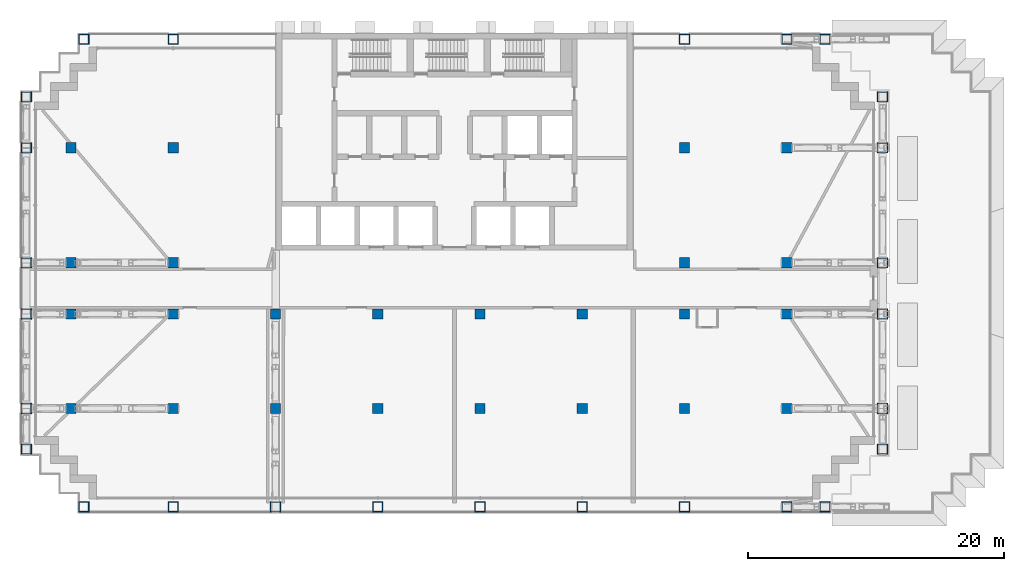
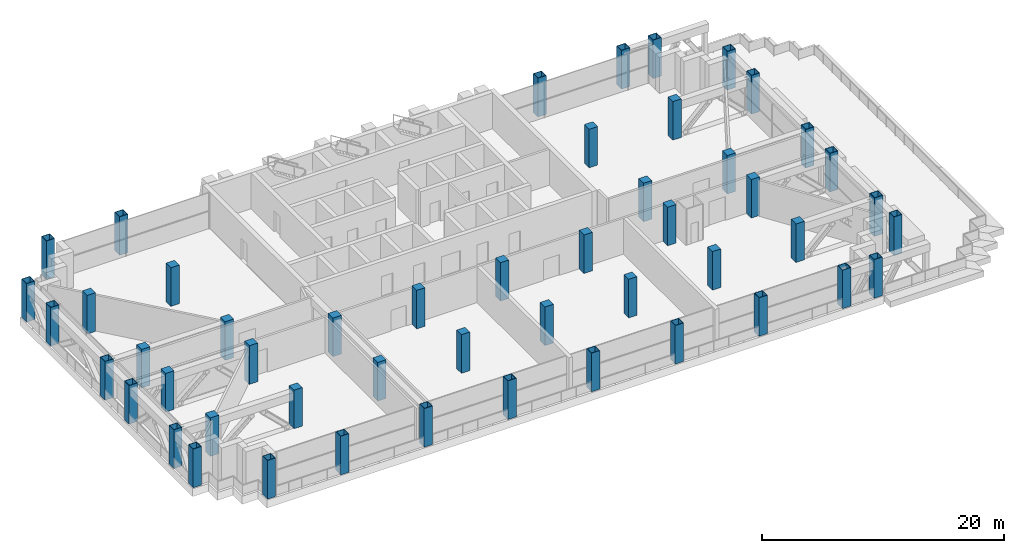
# One storey, part 1 of 25: 50 columns.
"""IFC4 building model written with IfcOpenShell, lengths in metres."""

from ifc_helpers import new_model, si_unit, direction, frame, origin, origin_2d, place, context, subcontext, project, spatial, rectangle, hollow_rectangle, extrude, material, material_profile, profile_set, type_object, element, save


model = new_model("IFC4")

# Units and contexts
model_context = context("Model", 3, precision=1e-05, world=origin(), true_north=direction((0.0, 1.0)))
body_context = subcontext(model_context, "Body", "Model", "MODEL_VIEW")
ifc_project = project(units=[si_unit("LENGTHUNIT", "METRE"), si_unit("AREAUNIT", "SQUARE_METRE"), si_unit("VOLUMEUNIT", "CUBIC_METRE"), si_unit("PLANEANGLEUNIT", "RADIAN"), si_unit("MASSUNIT", "GRAM", prefix="KILO")], contexts=[model_context])

# Site, building, storey
site_placement = place(None, origin())
site = spatial("IfcSite", under=ifc_project, at=site_placement, CompositionType="ELEMENT")
building_placement = place(site_placement, origin())
building = spatial("IfcBuilding", under=site, at=building_placement, Name="Vidyagriha Tower", CompositionType="ELEMENT")
storey_placement = place(building_placement, frame((0.0, 0.0, 115.89990234375)))
storey = spatial("IfcBuildingStorey", under=building, at=storey_placement, Name="L29", CompositionType="ELEMENT", Elevation=115.89990234375)

# Columns
ifc_material_1 = material(Name="Steel ASTM A572 Grade 50", Category="steel")
ifc_material_profile_1 = material_profile(ifc_material_1, hollow_rectangle(XDim=0.800048828125, YDim=0.800048828125, WallThickness=0.0400390625, at=origin_2d()), Name="BOX 800x800x40")
ifc_profile_set_1 = profile_set([ifc_material_profile_1], Name="Steel ASTM A572 Grade 50")
column_type_1 = type_object("IfcColumnType", Name="Exoskeleton column BOX 800x800x40", PredefinedType="COLUMN", material=ifc_profile_set_1)
for number, where, name in (
    (1, (-29.0, -17.10009765625, 0.0), "st-col-L29-B3-001"),
    (2, (-22.0, -17.10009765625, 0.0), "st-col-L29-B3-002"),
    (3, (-14.0, -17.10009765625, 0.0), "st-col-L29-B3-003"),
    (4, (-6.0, -17.10009765625, 0.0), "st-col-L29-B3-004"),
    (5, (2.0, -17.10009765625, 0.0), "st-col-L29-B3-005"),
    (6, (10.0, -17.10009765625, 0.0), "st-col-L29-B3-006"),
    (7, (18.0, -17.10009765625, 0.0), "st-col-L29-B3-007"),
    (8, (26.0, -17.10009765625, 0.0), "st-col-L29-B3-008"),
    (9, (29.0, -17.10009765625, 0.0), "st-col-L29-B3-009"),
    (10, (-33.5, -12.60009765625, 0.0), "st-col-L29-B3-010"),
    (11, (33.5, -12.60009765625, 0.0), "st-col-L29-B3-011"),
    (12, (-33.5, -9.39990234375, 0.0), "st-col-L29-B3-012"),
    (13, (33.5, -9.39990234375, 0.0), "st-col-L29-B3-021"),
    (14, (-33.5, -2.0, 0.0), "st-col-L29-B3-022"),
    (15, (33.5, -2.0, 0.0), "st-col-L29-B3-031"),
    (16, (-33.5, 2.0, 0.0), "st-col-L29-B3-032"),
    (17, (33.5, 2.0, 0.0), "st-col-L29-B3-037"),
    (18, (-33.5, 11.0, 0.0), "st-col-L29-B3-038"),
    (19, (33.5, 11.0, 0.0), "st-col-L29-B3-043"),
    (20, (-33.5, 15.0, 0.0), "st-col-L29-B3-044"),
    (21, (33.5, 15.0, 0.0), "st-col-L29-B3-045"),
    (22, (-29.0, 19.5, 0.0), "st-col-L29-B3-046"),
    (23, (-22.0, 19.5, 0.0), "st-col-L29-B3-047"),
    (24, (18.0, 19.5, 0.0), "st-col-L29-B3-048"),
    (25, (26.0, 19.5, 0.0), "st-col-L29-B3-049"),
    (26, (29.0, 19.5, 0.0), "st-col-L29-B3-050"),
):
    element("IfcColumn", number, at=place(storey_placement, frame(where)), inside=storey, type_object=column_type_1, Name=name, PredefinedType="COLUMN", context=body_context, shape_type="SweptSolid", body=[
        extrude(hollow_rectangle(XDim=0.800048828125, YDim=0.800048828125, WallThickness=0.0400390625, at=origin_2d()), origin(), (0.0, 0.0, 1.0), 3.900146484375),
    ])
ifc_material_2 = material(Name="Concrete C80/95", Category="concrete")
ifc_material_profile_2 = material_profile(ifc_material_2, rectangle(XDim=0.800048828125, YDim=0.800048828125, at=origin_2d()), Name="RC 800x800")
ifc_profile_set_2 = profile_set([ifc_material_profile_2], Name="Concrete C80/95")
column_type_2 = type_object("IfcColumnType", Name="Frame column RC 800x800", PredefinedType="COLUMN", material=ifc_profile_set_2)
for number, where, name in (
    (27, (-30.0, -9.39990234375, 0.0), "st-col-L29-B3-013"),
    (28, (-22.0, -9.39990234375, 0.0), "st-col-L29-B3-014"),
    (29, (-14.0, -9.39990234375, 0.0), "st-col-L29-B3-015"),
    (30, (-6.0, -9.39990234375, 0.0), "st-col-L29-B3-016"),
    (31, (2.0, -9.39990234375, 0.0), "st-col-L29-B3-017"),
    (32, (10.0, -9.39990234375, 0.0), "st-col-L29-B3-018"),
    (33, (18.0, -9.39990234375, 0.0), "st-col-L29-B3-019"),
    (34, (26.0, -9.39990234375, 0.0), "st-col-L29-B3-020"),
    (35, (-30.0, -2.0, 0.0), "st-col-L29-B3-023"),
    (36, (-22.0, -2.0, 0.0), "st-col-L29-B3-024"),
    (37, (-14.0, -2.0, 0.0), "st-col-L29-B3-025"),
    (38, (-6.0, -2.0, 0.0), "st-col-L29-B3-026"),
    (39, (2.0, -2.0, 0.0), "st-col-L29-B3-027"),
    (40, (10.0, -2.0, 0.0), "st-col-L29-B3-028"),
    (41, (18.0, -2.0, 0.0), "st-col-L29-B3-029"),
    (42, (26.0, -2.0, 0.0), "st-col-L29-B3-030"),
    (43, (-30.0, 2.0, 0.0), "st-col-L29-B3-033"),
    (44, (-22.0, 2.0, 0.0), "st-col-L29-B3-034"),
    (45, (18.0, 2.0, 0.0), "st-col-L29-B3-035"),
    (46, (26.0, 2.0, 0.0), "st-col-L29-B3-036"),
    (47, (-30.0, 11.0, 0.0), "st-col-L29-B3-039"),
    (48, (-22.0, 11.0, 0.0), "st-col-L29-B3-040"),
    (49, (18.0, 11.0, 0.0), "st-col-L29-B3-041"),
    (50, (26.0, 11.0, 0.0), "st-col-L29-B3-042"),
):
    element("IfcColumn", number, at=place(storey_placement, frame(where)), inside=storey, type_object=column_type_2, Name=name, PredefinedType="COLUMN", context=body_context, shape_type="SweptSolid", body=[
        extrude(rectangle(XDim=0.800048828125, YDim=0.800048828125, at=origin_2d()), origin(), (0.0, 0.0, 1.0), 3.900146484375),
    ])

save(model, "model.ifc")
